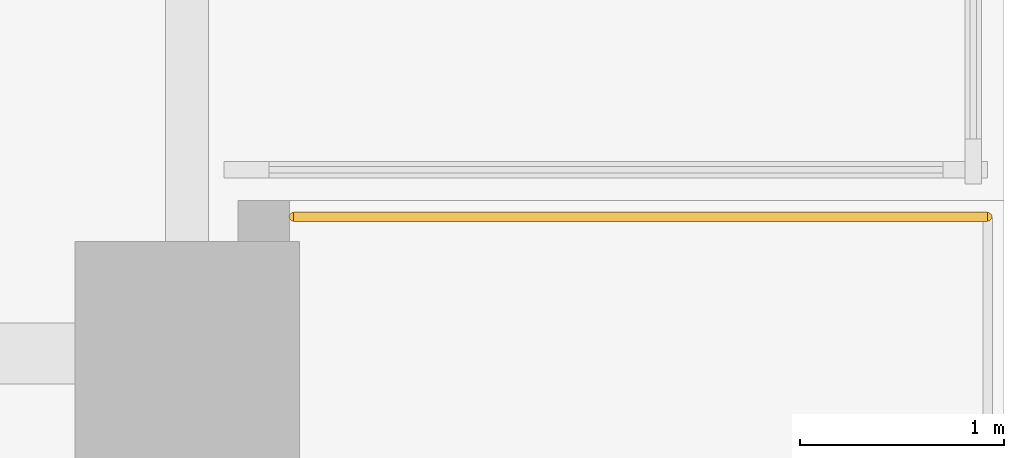
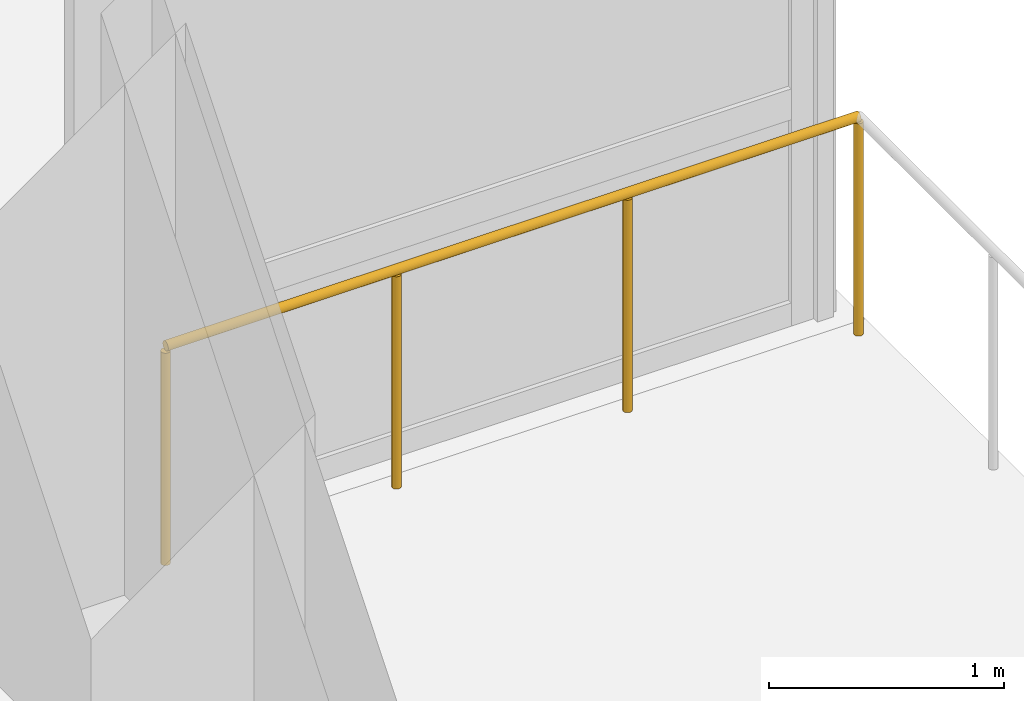
# One storey, part 14 of 14: 1 railing.
"""IFC4 building model written with IfcOpenShell, lengths in metres."""

from ifc_helpers import new_model, si_unit, direction, frame, origin, origin_2d, place, context, subcontext, project, spatial, circle, extrude, material, type_object, element, save


model = new_model("IFC4")

# Units and contexts
model_context = context("Model", 3, precision=1e-05, world=origin(), true_north=direction((0.0, 1.0)))
body_context = subcontext(model_context, "Body", "Model", "MODEL_VIEW")
ifc_project = project(units=[si_unit("LENGTHUNIT", "METRE"), si_unit("AREAUNIT", "SQUARE_METRE"), si_unit("VOLUMEUNIT", "CUBIC_METRE"), si_unit("PLANEANGLEUNIT", "RADIAN"), si_unit("MASSUNIT", "GRAM", prefix="KILO")], contexts=[model_context])

# Site, building, storey
site_placement = place(None, origin())
site = spatial("IfcSite", under=ifc_project, at=site_placement, CompositionType="ELEMENT")
building_placement = place(site_placement, origin())
building = spatial("IfcBuilding", under=site, at=building_placement, Name="Kinhvarn Gate Tower", CompositionType="ELEMENT")
storey_placement = place(building_placement, frame((0.0, 0.0, 20.39990234375)))
storey = spatial("IfcBuildingStorey", under=building, at=storey_placement, Name="L04", CompositionType="ELEMENT", Elevation=20.39990234375)

# Railing
ifc_material = material(Name="Clear low-e double glazing", Category="glass")
railing_type = type_object("IfcRailingType", Name="RL-TER-1150", PredefinedType="BALUSTRADE", material=ifc_material)
railing_placement = place(storey_placement, frame((57.919921875, 38.419921875, 0.0)))
element("IfcRailing", 1, at=railing_placement, inside=storey, type_object=railing_type, Name="Podium Setback Terrace Perimeter Guardrail Seg 3 (L04)", PredefinedType="BALUSTRADE", context=body_context, shape_type="SweptSolid", body=[
    extrude(circle(Radius=0.02392578125, at=origin_2d()), frame((0.0, 0.0, 1.1259765625), z_axis=(-1.0, 0.0, 0.0), x_axis=(0.0, -1.0, 0.0)), (0.0, 0.0, 1.0), 3.39990234375),
    extrude(circle(Radius=0.02099609375, at=origin_2d()), origin(), (0.0, 0.0, 1.0), 1.101806640625),
    extrude(circle(Radius=0.02099609375, at=origin_2d()), frame((-1.13330078125, 0.0, 0.0)), (0.0, 0.0, 1.0), 1.101806640625),
    extrude(circle(Radius=0.02099609375, at=origin_2d()), frame((-2.2666015625, 0.0, 0.0)), (0.0, 0.0, 1.0), 1.101806640625),
    extrude(circle(Radius=0.02099609375, at=origin_2d()), frame((-3.39990234375, 0.0, 0.0)), (0.0, 0.0, 1.0), 1.101806640625),
])

save(model, "model.ifc")
